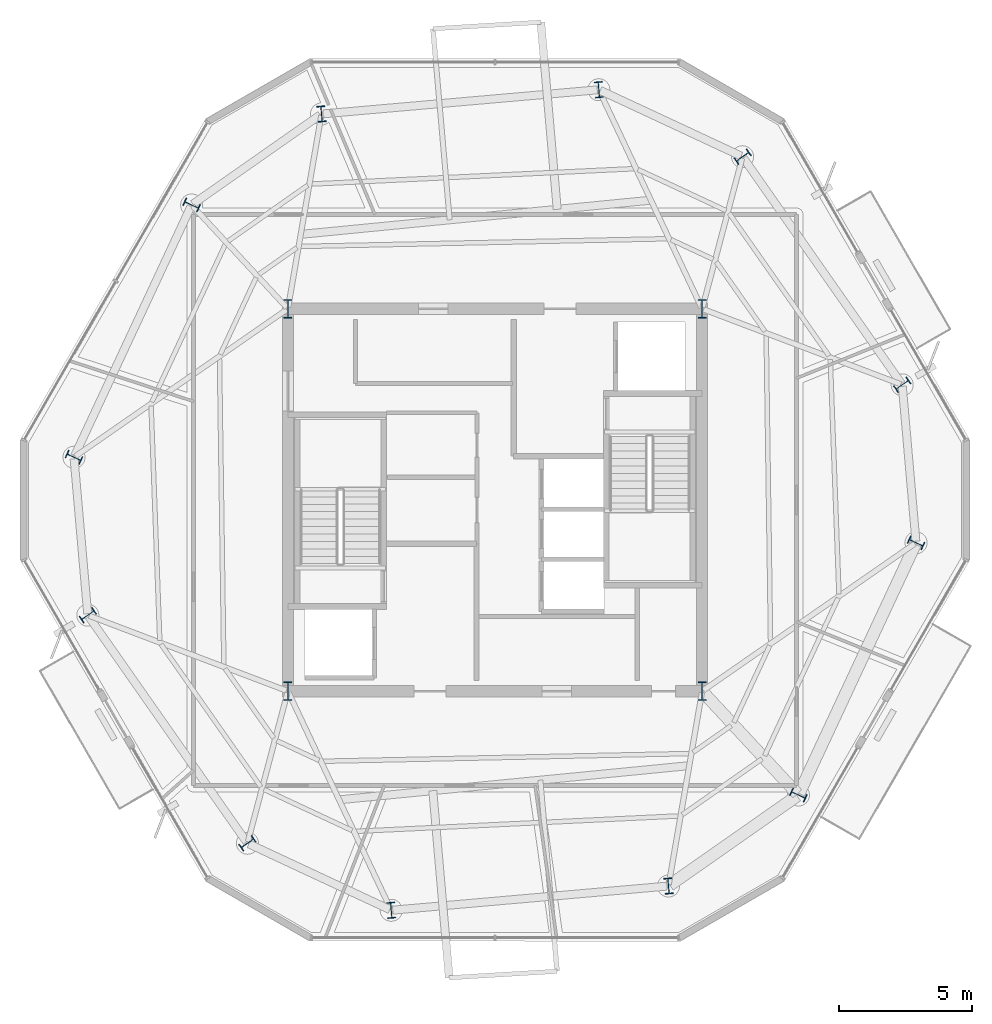
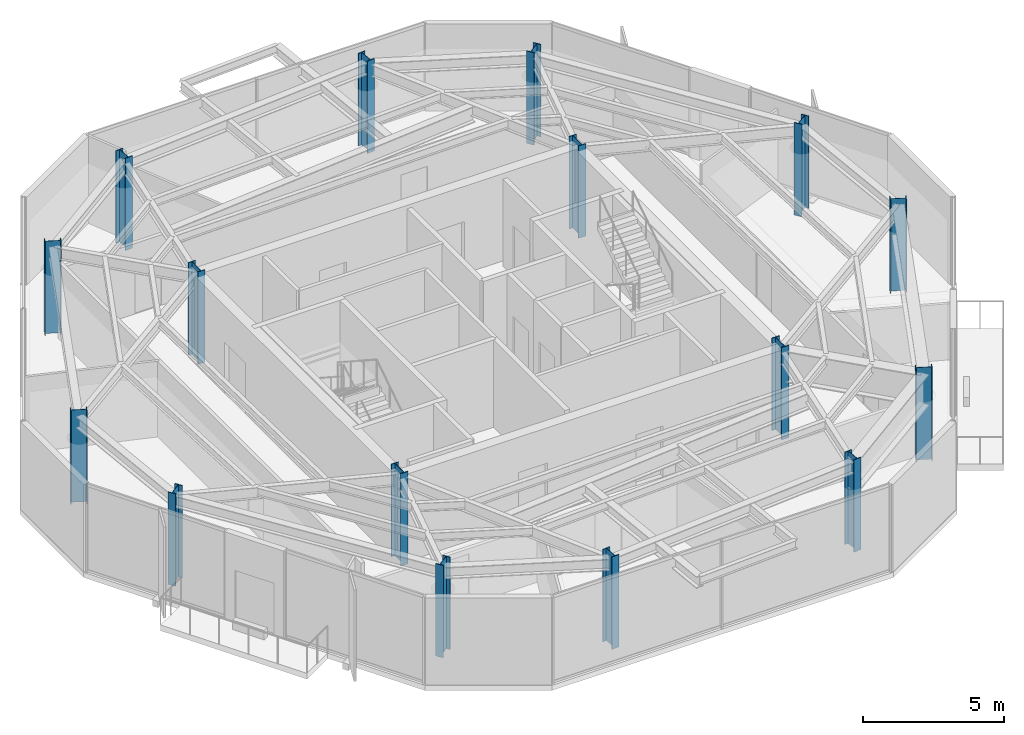
# One storey, part 1 of 11: 16 columns.
"""IFC4 building model written with IfcOpenShell, lengths in metres."""

from ifc_helpers import new_model, si_unit, direction, frame, origin, origin_2d, place, context, subcontext, project, spatial, i_section, extrude, material, material_profile, profile_set, type_object, element, save


model = new_model("IFC4")

# Units and contexts
model_context = context("Model", 3, precision=1e-05, world=origin(), true_north=direction((0.0, 1.0)))
body_context = subcontext(model_context, "Body", "Model", "MODEL_VIEW")
ifc_project = project(units=[si_unit("LENGTHUNIT", "METRE"), si_unit("AREAUNIT", "SQUARE_METRE"), si_unit("VOLUMEUNIT", "CUBIC_METRE"), si_unit("PLANEANGLEUNIT", "RADIAN"), si_unit("MASSUNIT", "GRAM", prefix="KILO")], contexts=[model_context])

# Site, building, storey
site_placement = place(None, origin())
site = spatial("IfcSite", under=ifc_project, at=site_placement, CompositionType="ELEMENT")
building_placement = place(site_placement, origin())
building = spatial("IfcBuilding", under=site, at=building_placement, Name="Kranzbogen Civic Tower", CompositionType="ELEMENT")
storey_placement = place(building_placement, frame((0.0, 0.0, 266.199951171875)))
storey = spatial("IfcBuildingStorey", under=building, at=storey_placement, Name="L64", CompositionType="ELEMENT", Elevation=266.199951171875)

# Columns
ifc_material = material(Name="Steel S355", Category="steel")
ifc_material_profile_1 = material_profile(ifc_material, i_section(OverallWidth=0.300048828125, OverallDepth=0.60009765625, WebThickness=0.015380859375, FlangeThickness=0.030029296875, at=origin_2d()), Name="HEB 600")
ifc_profile_set_1 = profile_set([ifc_material_profile_1], Name="Steel S355")
column_type_1 = type_object("IfcColumnType", Name="Structural Column HEB 600", PredefinedType="COLUMN", material=ifc_profile_set_1)
for number, where, z_axis, x_axis, name in (
    (1, (28.908935546875, 40.449951171875, 0.0), (0.0, 0.0, 1.0), (0.996194698092, 0.087155742748, 0.0), "L64 tower perimeter tube column 01"),
    (2, (18.467041015625, 39.535888671875, 0.0), (0.0, 0.0, 1.0), (0.996194698092, 0.087155742748, 0.0), "L64 tower perimeter tube column 02"),
    (3, (13.574951171875, 36.110107421875, 0.0), (0.0, 0.0, 1.0), (0.422618261741, 0.906307787037, 0.0), "L64 tower perimeter tube column 03"),
    (4, (9.14501953125, 26.610107421875, 0.0), (0.0, 0.0, 1.0), (0.422618261741, 0.906307787037, 0.0), "L64 tower perimeter tube column 04"),
    (5, (9.666015625, 20.660888671875, 0.0), (0.0, 0.0, 1.0), (-0.573576436351, 0.819152044289, 0.0), "L64 tower perimeter tube column 05"),
    (6, (15.677978515625, 12.073974609375, 0.0), (0.0, 0.0, 1.0), (-0.573576436351, 0.819152044289, 0.0), "L64 tower perimeter tube column 06"),
    (7, (21.091064453125, 9.550048828125, 0.0), (0.0, 0.0, 1.0), (0.996194698092, 0.087155742748, 0.0), "L64 tower perimeter tube column 07"),
    (8, (31.532958984375, 10.464111328125, 0.0), (0.0, 0.0, 1.0), (0.996194698092, 0.087155742748, 0.0), "L64 tower perimeter tube column 08"),
    (9, (36.425048828125, 13.889892578125, 0.0), (0.0, 0.0, 1.0), (0.422618261741, 0.906307787037, 0.0), "L64 tower perimeter tube column 09"),
    (10, (40.85498046875, 23.389892578125, 0.0), (0.0, 0.0, 1.0), (0.422618261741, 0.906307787037, 0.0), "L64 tower perimeter tube column 10"),
    (11, (40.333984375, 29.339111328125, 0.0), (0.0, 0.0, 1.0), (-0.573576436351, 0.819152044289, 0.0), "L64 tower perimeter tube column 11"),
    (12, (34.322021484375, 37.926025390625, 0.0), (0.0, 0.0, 1.0), (-0.573576436351, 0.819152044289, 0.0), "L64 tower perimeter tube column 12"),
):
    element("IfcColumn", number, at=place(storey_placement, frame(where, z_axis=z_axis, x_axis=x_axis)), inside=storey, type_object=column_type_1, Name=name, PredefinedType="COLUMN", context=body_context, shape_type="SweptSolid", body=[
        extrude(i_section(OverallWidth=0.300048828125, OverallDepth=0.60009765625, WebThickness=0.015380859375, FlangeThickness=0.030029296875, at=origin_2d()), origin(), (0.0, 0.0, 1.0), 4.0),
    ])
ifc_material_profile_2 = material_profile(ifc_material, i_section(OverallWidth=0.300048828125, OverallDepth=0.699951171875, WebThickness=0.01708984375, FlangeThickness=0.031982421875, at=origin_2d()), Name="HEB 700")
ifc_profile_set_2 = profile_set([ifc_material_profile_2], Name="Steel S355")
column_type_2 = type_object("IfcColumnType", Name="Structural Column HEB 700", PredefinedType="COLUMN", material=ifc_profile_set_2)
for number, where, z_axis, x_axis, name in (
    (13, (17.199951171875, 17.800048828125, 0.0), (0.0, 0.0, 1.0), (1.0, 0.0, 0.0), "L64 composite core corner column 1"),
    (14, (32.800048828125, 17.800048828125, 0.0), (0.0, 0.0, 1.0), (1.0, 0.0, 0.0), "L64 composite core corner column 2"),
    (15, (32.800048828125, 32.199951171875, 0.0), (0.0, 0.0, 1.0), (1.0, 0.0, 0.0), "L64 composite core corner column 3"),
    (16, (17.199951171875, 32.199951171875, 0.0), (0.0, 0.0, 1.0), (1.0, 0.0, 0.0), "L64 composite core corner column 4"),
):
    element("IfcColumn", number, at=place(storey_placement, frame(where, z_axis=z_axis, x_axis=x_axis)), inside=storey, type_object=column_type_2, Name=name, PredefinedType="COLUMN", context=body_context, shape_type="SweptSolid", body=[
        extrude(i_section(OverallWidth=0.300048828125, OverallDepth=0.699951171875, WebThickness=0.01708984375, FlangeThickness=0.031982421875, at=origin_2d()), origin(), (0.0, 0.0, 1.0), 4.0),
    ])

save(model, "model.ifc")
